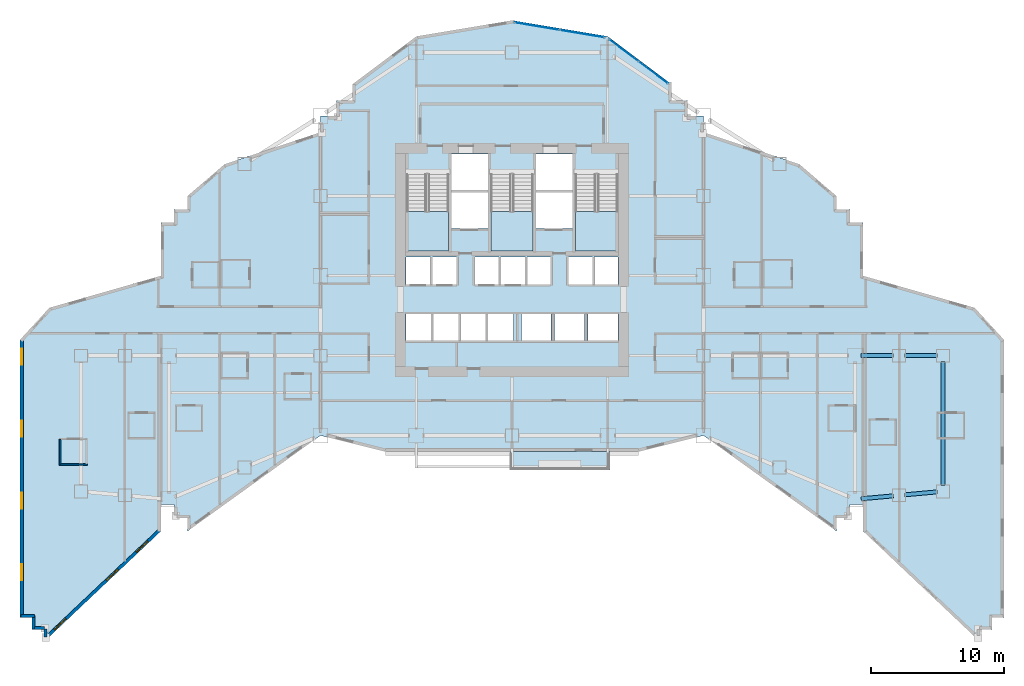
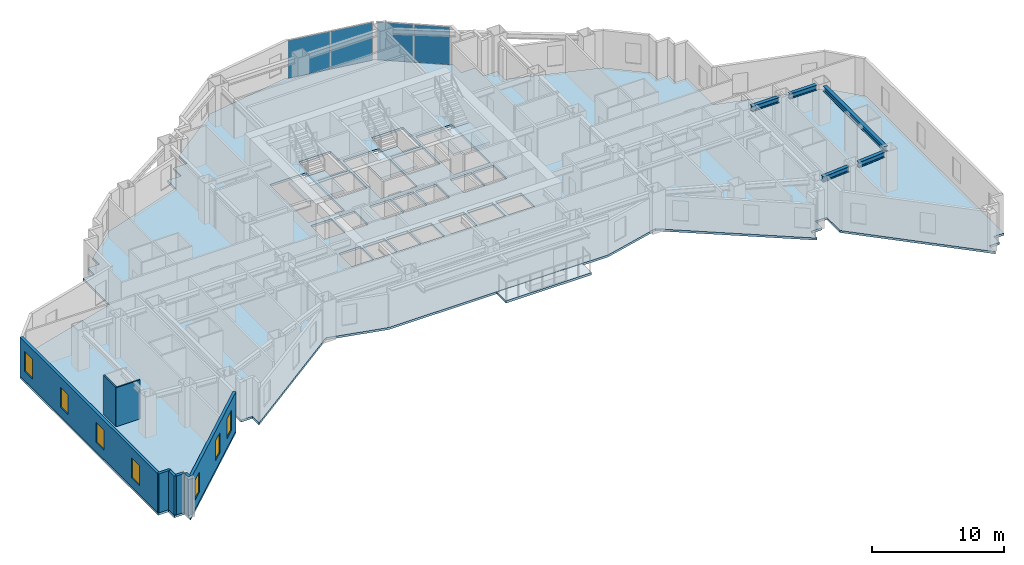
# One storey, part 5 of 17: 8 walls, 7 windows, 5 beams, 5 slabs, 4 plates, 7 openings, 5 elements without a shape of their own.
"""IFC4 building model written with IfcOpenShell, lengths in metres."""

from ifc_helpers import new_model, si_unit, direction, frame, frame_2d, origin, origin_2d, place, context, subcontext, project, spatial, polyline, rectangle, i_section, outline, extrude, material, layer, layer_set, material_profile, profile_set, type_object, element, fill, aggregate, save


model = new_model("IFC4")

# Units and contexts
model_context = context("Model", 3, precision=1e-05, world=origin(), true_north=direction((0.0, 1.0)))
body_context = subcontext(model_context, "Body", "Model", "MODEL_VIEW")
ifc_project = project(units=[si_unit("LENGTHUNIT", "METRE"), si_unit("AREAUNIT", "SQUARE_METRE"), si_unit("VOLUMEUNIT", "CUBIC_METRE"), si_unit("PLANEANGLEUNIT", "RADIAN"), si_unit("MASSUNIT", "GRAM", prefix="KILO")], contexts=[model_context])

# Site, building, storey
site_placement = place(None, origin())
site = spatial("IfcSite", under=ifc_project, at=site_placement, CompositionType="ELEMENT")
building_placement = place(site_placement, origin())
building = spatial("IfcBuilding", under=site, at=building_placement, Name="Haolan Belvedere Tower", CompositionType="ELEMENT")
storey_placement = place(building_placement, frame((0.0, 0.0, 59.0)))
storey = spatial("IfcBuildingStorey", under=building, at=storey_placement, Name="L14", CompositionType="ELEMENT", Elevation=59.0)

# Beams
ifc_material_1 = material(Name="Steel Q355B", Category="steel")
ifc_material_profile = material_profile(ifc_material_1, i_section(OverallWidth=0.300048828125, OverallDepth=0.488037109375, WebThickness=0.010986328125, FlangeThickness=0.01806640625, FilletRadius=0.02587890625, at=origin_2d()), Name="Steel Q355B")
ifc_profile_set = profile_set([ifc_material_profile], Name="Steel Q355B")
beam_type = type_object("IfcBeamType", Name="BM-HM488x300x11x18", PredefinedType="SPANDREL", material=ifc_profile_set)
beam_placement = place(storey_placement, frame((70.800048828125, 17.85009765625, 3.35595703125), z_axis=(0.0, 1.0, 0.0), x_axis=(-1.0, 0.0, 0.0)))
element("IfcBeam", 1, at=beam_placement, inside=storey, type_object=beam_type, Name="L14 spandrel girder MC-T5-SE-MC-T5-NE", PredefinedType="SPANDREL", context=body_context, shape_type="SweptSolid", body=[
    extrude(i_section(OverallWidth=0.300048828125, OverallDepth=0.488037109375, WebThickness=0.010986328125, FlangeThickness=0.01806640625, FilletRadius=0.02587890625, at=origin_2d()), origin(), (0.0, 0.0, 1.0), 9.2998046875),
])
for number, where, z_axis, x_axis, name in (
    (2, (64.648193359375, 16.8408203125, 3.35595703125), (0.995893206468, 0.090535746043, 0.0), (-0.090535746043, 0.995893206468, 0.0), "L14 spandrel girder MC-T4-SE-TC-T5-M1"),
    (3, (67.9482421875, 17.140625, 3.35595703125), (0.995884080761, 0.090636072764, 0.0), (-0.090636072764, 0.995884080761, 0.0), "L14 spandrel girder TC-T5-M1-MC-T5-SE"),
):
    element("IfcBeam", number, at=place(storey_placement, frame(where, z_axis=z_axis, x_axis=x_axis)), inside=storey, type_object=beam_type, Name=name, PredefinedType="SPANDREL", context=body_context, shape_type="SweptSolid", body=[
        extrude(i_section(OverallWidth=0.300048828125, OverallDepth=0.488037109375, WebThickness=0.010986328125, FlangeThickness=0.01806640625, FilletRadius=0.02587890625, at=origin_2d()), origin(), (0.0, 0.0, 1.0), 2.41357421875),
    ])
for number, where, z_axis, x_axis, name in (
    (4, (64.64990234375, 27.60009765625, 3.35595703125), (1.0, 0.0, 0.0), (0.0, 1.0, 0.0), "L14 spandrel girder MC-T4-ME-TC-T5-M2"),
    (5, (67.949951171875, 27.60009765625, 3.35595703125), (1.0, 0.0, 0.0), (0.0, 1.0, 0.0), "L14 spandrel girder TC-T5-M2-MC-T5-NE"),
):
    element("IfcBeam", number, at=place(storey_placement, frame(where, z_axis=z_axis, x_axis=x_axis)), inside=storey, type_object=beam_type, Name=name, PredefinedType="SPANDREL", context=body_context, shape_type="SweptSolid", body=[
        extrude(i_section(OverallWidth=0.300048828125, OverallDepth=0.488037109375, WebThickness=0.010986328125, FlangeThickness=0.01806640625, FilletRadius=0.02587890625, at=origin_2d()), origin(), (0.0, 0.0, 1.0), 2.400146484375),
    ])

# Curtain wall, plates
ifc_material_2 = material(Name="Anodised champagne-silver aluminium 6063-T6 and Low-E glass", Category="aluminium")
ifc_layer_1 = layer(ifc_material_2, 0.1650390625, Name="Anodised champagne-silver aluminium 6063-T6 and Low-E glass")
ifc_layer_set_1 = layer_set([ifc_layer_1], Name="Anodised champagne-silver aluminium 6063-T6 and Low-E glass")
curtain_wall_type = type_object("IfcCurtainWallType", Name="CW-SYS-02", PredefinedType="NOTDEFINED", material=ifc_layer_set_1)
curtain_wall_1_placement = place(storey_placement, origin())
curtain_wall_1 = element("IfcCurtainWall", 6, at=curtain_wall_1_placement, inside=storey, type_object=curtain_wall_type, Name="L14 CW-SYS-02 ribbon curtain wall 41.1", PredefinedType="NOTDEFINED")
ifc_material_3 = material(Name="Double silver Low-E laminated insulating glass", Category="glass")
ifc_layer_2 = layer(ifc_material_3, 0.02587890625, Name="Double silver Low-E laminated insulating glass")
ifc_layer_set_2 = layer_set([ifc_layer_2], Name="Double silver Low-E laminated insulating glass")
plate_type = type_object("IfcPlateType", Name="CW-SYS-02-PNL", PredefinedType="CURTAIN_PANEL", material=ifc_layer_set_2)
plate_1_placement = place(storey_placement, frame((49.02978515625, 48.877685546875, 0.05517578125), z_axis=(0.0, 0.0, 1.0), x_axis=(-0.800004262313, 0.599994316874, 0.0)))
plate_1 = element("IfcPlate", 7, at=plate_1_placement, type_object=plate_type, Name="CW-02 panel 1.1", PredefinedType="CURTAIN_PANEL", context=body_context, shape_type="SweptSolid", body=[
    extrude(rectangle(XDim=2.725341796875, YDim=0.02587890625, at=origin_2d()), origin(), (0.0, 0.0, 1.0), 3.489990234375),
])
plate_2_placement = place(storey_placement, frame((46.801513671875, 50.548828125, 0.05517578125), z_axis=(0.0, 0.0, 1.0), x_axis=(-0.800004262313, 0.599994316874, 0.0)))
plate_2 = element("IfcPlate", 8, at=plate_2_placement, type_object=plate_type, Name="CW-02 panel 2.1", PredefinedType="CURTAIN_PANEL", context=body_context, shape_type="SweptSolid", body=[
    extrude(rectangle(XDim=2.725341796875, YDim=0.02587890625, at=origin_2d()), origin(), (0.0, 0.0, 1.0), 3.489990234375),
])
aggregate(curtain_wall_1, [plate_1, plate_2])

curtain_wall_2_placement = place(storey_placement, origin())
curtain_wall_2 = element("IfcCurtainWall", 9, at=curtain_wall_2_placement, inside=storey, type_object=curtain_wall_type, Name="L14 CW-SYS-02 ribbon curtain wall 42.1", PredefinedType="NOTDEFINED")
plate_3_placement = place(storey_placement, frame((43.6796875, 51.79833984375, 0.05517578125), z_axis=(0.0, 0.0, 1.0), x_axis=(-0.9863931483, 0.16440364043, 0.0)))
plate_3 = element("IfcPlate", 10, at=plate_3_placement, type_object=plate_type, Name="CW-02 panel 1.1", PredefinedType="CURTAIN_PANEL", context=body_context, shape_type="SweptSolid", body=[
    extrude(rectangle(XDim=3.39501953125, YDim=0.02587890625, at=origin_2d()), origin(), (0.0, 0.0, 1.0), 3.489990234375),
])
plate_4_placement = place(storey_placement, frame((40.271728515625, 52.366455078125, 0.05517578125), z_axis=(0.0, 0.0, 1.0), x_axis=(-0.9863931483, 0.16440364043, 0.0)))
plate_4 = element("IfcPlate", 11, at=plate_4_placement, type_object=plate_type, Name="CW-02 panel 2.1", PredefinedType="CURTAIN_PANEL", context=body_context, shape_type="SweptSolid", body=[
    extrude(rectangle(XDim=3.39501953125, YDim=0.02587890625, at=origin_2d()), origin(), (0.0, 0.0, 1.0), 3.489990234375),
])
aggregate(curtain_wall_2, [plate_3, plate_4])

# Slabs
ifc_material_4 = material(Name="Concrete C40/50", Category="concrete")
ifc_layer_3 = layer(ifc_material_4, 0.2099609375, Name="Concrete C40/50")
ifc_layer_set_3 = layer_set([ifc_layer_3], Name="Concrete C40/50")
slab_type_1 = type_object("IfcSlabType", Name="SL-BAL-210", PredefinedType="FLOOR", material=ifc_layer_set_3)
slab_1_placement = place(storey_placement, frame((0.0, 0.0, -0.22998046875)))
element("IfcSlab", 12, at=slab_1_placement, inside=storey, type_object=slab_type_1, Name="L14 structural tree-planter balcony slab BAL-L14-S1", PredefinedType="FLOOR", context=body_context, shape_type="SweptSolid", body=[
    extrude(outline(polyline([(38.25, 19.02001953125), (45.75, 19.02001953125), (45.75, 20.39990234375), (38.25, 20.39990234375), (38.25, 19.02001953125)])), origin(), (0.0, 0.0, 1.0), 0.2099609375),
])
ifc_layer_4 = layer(ifc_material_4, 0.199951171875, Name="Concrete C40/50")
ifc_layer_set_4 = layer_set([ifc_layer_4], Name="Concrete C40/50")
slab_type_2 = type_object("IfcSlabType", Name="SL-FLR-200", PredefinedType="FLOOR", material=ifc_layer_set_4)
slab_2_placement = place(storey_placement, frame((0.0, 0.0, -0.199951171875)))
element("IfcSlab", 13, at=slab_2_placement, inside=storey, type_object=slab_type_2, Name="L14 structural floor slab", PredefinedType="FLOOR", context=body_context, shape_type="SweptSolid", body=[
    extrude(outline(polyline([(1.419921875, 28.800048828125), (1.419921875, 8.4990234375), (1.419921875, 7.89892578125), (2.320068359375, 7.89892578125), (2.320068359375, 6.9990234375), (3.219970703125, 6.9990234375), (3.219970703125, 6.09912109375), (12.0, 14.39990234375), (12.0, 16.39990234375), (13.0, 16.39990234375), (13.0, 15.39990234375), (14.0, 15.39990234375), (14.0, 14.39990234375), (24.0, 21.60009765625), (28.800048828125, 20.39990234375), (48.0, 20.39990234375), (52.800048828125, 21.60009765625), (62.800048828125, 14.39990234375), (62.800048828125, 15.39990234375), (63.800048828125, 15.39990234375), (63.800048828125, 16.39990234375), (64.800048828125, 16.39990234375), (64.800048828125, 14.39990234375), (73.580078125, 6.09912109375), (73.580078125, 6.9990234375), (74.47998046875, 6.9990234375), (74.47998046875, 7.89892578125), (75.3798828125, 7.89892578125), (75.3798828125, 28.800048828125), (73.179931640625, 31.199951171875), (64.800048828125, 33.60009765625), (64.800048828125, 37.60009765625), (63.800048828125, 37.60009765625), (63.800048828125, 38.60009765625), (62.800048828125, 38.60009765625), (62.800048828125, 39.60009765625), (60.0, 42.0), (52.800048828125, 44.39990234375), (52.800048828125, 45.60009765625), (51.60009765625, 45.60009765625), (51.60009765625, 46.800048828125), (50.39990234375, 46.800048828125), (50.39990234375, 48.0), (45.60009765625, 51.60009765625), (38.39990234375, 52.800048828125), (31.199951171875, 51.60009765625), (26.39990234375, 48.0), (26.39990234375, 46.800048828125), (25.199951171875, 46.800048828125), (25.199951171875, 45.60009765625), (24.0, 45.60009765625), (24.0, 44.39990234375), (16.800048828125, 42.0), (14.0, 39.60009765625), (14.0, 38.60009765625), (13.0, 38.60009765625), (13.0, 37.60009765625), (12.0, 37.60009765625), (12.0, 33.60009765625), (3.6201171875, 31.199951171875), (1.419921875, 28.800048828125)]), holes=[polyline([(30.449951171875, 41.22998046875), (30.449951171875, 35.449951171875), (33.6298828125, 35.449951171875), (33.6298828125, 41.22998046875), (30.449951171875, 41.22998046875)]), polyline([(36.81005859375, 41.22998046875), (36.81005859375, 35.449951171875), (39.989990234375, 35.449951171875), (39.989990234375, 41.22998046875), (36.81005859375, 41.22998046875)]), polyline([(43.169921875, 41.22998046875), (43.169921875, 35.449951171875), (46.35009765625, 35.449951171875), (46.35009765625, 41.22998046875), (43.169921875, 41.22998046875)]), polyline([(33.830078125, 40.050048828125), (36.610107421875, 40.050048828125), (36.610107421875, 42.75), (33.830078125, 42.75), (33.830078125, 40.050048828125)]), polyline([(33.830078125, 37.14990234375), (36.610107421875, 37.14990234375), (36.610107421875, 39.85009765625), (33.830078125, 39.85009765625), (33.830078125, 37.14990234375)]), polyline([(40.18994140625, 40.050048828125), (42.969970703125, 40.050048828125), (42.969970703125, 42.75), (40.18994140625, 42.75), (40.18994140625, 40.050048828125)]), polyline([(40.18994140625, 37.14990234375), (42.969970703125, 37.14990234375), (42.969970703125, 39.85009765625), (40.18994140625, 39.85009765625), (40.18994140625, 37.14990234375)]), polyline([(30.419921875, 32.949951171875), (32.27001953125, 32.949951171875), (32.27001953125, 35.0), (30.419921875, 35.0), (30.419921875, 32.949951171875)]), polyline([(32.409912109375, 32.949951171875), (34.260009765625, 32.949951171875), (34.260009765625, 35.0), (32.409912109375, 35.0), (32.409912109375, 32.949951171875)]), polyline([(35.56005859375, 32.949951171875), (37.409912109375, 32.949951171875), (37.409912109375, 35.0), (35.56005859375, 35.0), (35.56005859375, 32.949951171875)]), polyline([(37.550048828125, 32.949951171875), (39.39990234375, 32.949951171875), (39.39990234375, 35.0), (37.550048828125, 35.0), (37.550048828125, 32.949951171875)]), polyline([(39.5400390625, 32.949951171875), (41.389892578125, 32.949951171875), (41.389892578125, 35.0), (39.5400390625, 35.0), (39.5400390625, 32.949951171875)]), polyline([(42.6201171875, 32.949951171875), (44.469970703125, 32.949951171875), (44.469970703125, 35.0), (42.6201171875, 35.0), (42.6201171875, 32.949951171875)]), polyline([(44.580078125, 32.949951171875), (46.3798828125, 32.949951171875), (46.3798828125, 35.0), (44.580078125, 35.0), (44.580078125, 32.949951171875)]), polyline([(30.419921875, 28.75), (32.320068359375, 28.75), (32.320068359375, 30.75), (30.419921875, 30.75), (30.419921875, 28.75)]), polyline([(32.47998046875, 28.75), (34.3798828125, 28.75), (34.3798828125, 30.75), (32.47998046875, 30.75), (32.47998046875, 28.75)]), polyline([(34.5400390625, 28.75), (36.43994140625, 28.75), (36.43994140625, 30.75), (34.5400390625, 30.75), (34.5400390625, 28.75)]), polyline([(36.60009765625, 28.75), (38.5, 28.75), (38.5, 30.75), (36.60009765625, 30.75), (36.60009765625, 28.75)]), polyline([(39.10009765625, 28.75), (41.340087890625, 28.75), (41.340087890625, 30.75), (39.10009765625, 30.75), (39.10009765625, 28.75)]), polyline([(41.610107421875, 28.75), (43.85009765625, 28.75), (43.85009765625, 30.75), (41.610107421875, 30.75), (41.610107421875, 28.75)]), polyline([(44.1201171875, 28.75), (46.360107421875, 28.75), (46.360107421875, 30.75), (44.1201171875, 30.75), (44.1201171875, 28.75)])]), origin(), (0.0, 0.0, 1.0), 0.199951171875),
])

# Stair, slab
stair_type = type_object("IfcStairType", Name="STR-DL-22R-173", PredefinedType="HALF_TURN_STAIR", material=ifc_material_4)
stair_1_placement = place(storey_placement, origin())
stair_1 = element("IfcStair", 14, at=stair_1_placement, inside=storey, type_object=stair_type, Name="L14 Smokeproof Core Exit Stair ST1", PredefinedType="HALF_TURN_STAIR")
ifc_layer_5 = layer(ifc_material_4, 0.199951171875, Name="Concrete C40/50")
ifc_layer_set_5 = layer_set([ifc_layer_5], Name="Concrete C40/50")
slab_type_3 = type_object("IfcSlabType", Name="SL-LAND-200", PredefinedType="LANDING", material=ifc_layer_set_5)
slab_3_placement = place(storey_placement, frame((0.0, 0.0, 1.699951171875)))
slab_3 = element("IfcSlab", 15, at=slab_3_placement, type_object=slab_type_3, Name="ST1 landing 1", PredefinedType="LANDING", context=body_context, shape_type="SweptSolid", body=[
    extrude(outline(polyline([(30.449951171875, 38.429931640625), (30.449951171875, 35.449951171875), (33.6298828125, 35.449951171875), (33.6298828125, 38.429931640625), (30.449951171875, 38.429931640625)])), origin(), (0.0, 0.0, 1.0), 0.199951171875),
])
aggregate(stair_1, [slab_3])

stair_2_placement = place(storey_placement, origin())
stair_2 = element("IfcStair", 16, at=stair_2_placement, inside=storey, type_object=stair_type, Name="L14 Smokeproof Core Exit Stair ST3", PredefinedType="HALF_TURN_STAIR")
slab_4_placement = place(storey_placement, frame((0.0, 0.0, 1.699951171875)))
slab_4 = element("IfcSlab", 17, at=slab_4_placement, type_object=slab_type_3, Name="ST3 landing 1", PredefinedType="LANDING", context=body_context, shape_type="SweptSolid", body=[
    extrude(outline(polyline([(36.81005859375, 38.429931640625), (36.81005859375, 35.449951171875), (39.989990234375, 35.449951171875), (39.989990234375, 38.429931640625), (36.81005859375, 38.429931640625)])), origin(), (0.0, 0.0, 1.0), 0.199951171875),
])
aggregate(stair_2, [slab_4])

stair_3_placement = place(storey_placement, origin())
stair_3 = element("IfcStair", 18, at=stair_3_placement, inside=storey, type_object=stair_type, Name="L14 Smokeproof Core Exit Stair ST2", PredefinedType="HALF_TURN_STAIR")
slab_5_placement = place(storey_placement, frame((0.0, 0.0, 1.699951171875)))
slab_5 = element("IfcSlab", 19, at=slab_5_placement, type_object=slab_type_3, Name="ST2 landing 1", PredefinedType="LANDING", context=body_context, shape_type="SweptSolid", body=[
    extrude(outline(polyline([(43.169921875, 38.429931640625), (43.169921875, 35.449951171875), (46.35009765625, 35.449951171875), (46.35009765625, 38.429931640625), (43.169921875, 38.429931640625)])), origin(), (0.0, 0.0, 1.0), 0.199951171875),
])
aggregate(stair_3, [slab_5])

# Walls
ifc_material_5 = material(Name="Precast concrete C40/50", Category="concrete")
ifc_layer_6 = layer(ifc_material_5, 0.239990234375, Name="Precast concrete C40/50")
ifc_layer_set_6 = layer_set([ifc_layer_6], Name="Precast concrete C40/50")
wall_type_1 = type_object("IfcWallType", Name="WL-EXT-240", PredefinedType="SOLIDWALL", material=ifc_layer_set_6)
for number, where, z_axis, x_axis, name in (
    (20, (1.485107421875, 8.01904296875, 0.0), (0.0, 0.0, 1.0), (1.0, 0.0, 0.0), "L14 pale-metal exterior spandrel wall 1.1"),
    (21, (2.43994140625, 8.073974609375, 0.0), (0.0, 0.0, 1.0), (0.0, -1.0, 0.0), "L14 pale-metal exterior spandrel wall 2.1"),
):
    element("IfcWall", number, at=place(storey_placement, frame(where, z_axis=z_axis, x_axis=x_axis)), inside=storey, type_object=wall_type_1, Name=name, PredefinedType="SOLIDWALL", context=body_context, shape_type="SweptSolid", body=[
        extrude(rectangle(XDim=1.010009765625, YDim=0.239990234375, at=frame_2d((0.5048828125, 0.0))), origin(), (0.0, 0.0, 1.0), 3.60009765625),
    ])
wall_1_placement = place(storey_placement, frame((2.52001953125, 7.118896484375, 0.0), z_axis=(0.0, 0.0, 1.0), x_axis=(1.0, 0.0, 0.0)))
element("IfcWall", 22, at=wall_1_placement, inside=storey, type_object=wall_type_1, Name="L14 pale-metal exterior spandrel wall 3.1", PredefinedType="SOLIDWALL", context=body_context, shape_type="SweptSolid", body=[
    extrude(rectangle(XDim=0.73486328125, YDim=0.239990234375, at=frame_2d((0.367431640625, 0.0))), origin(), (0.0, 0.0, 1.0), 3.60009765625),
])
wall_2_placement = place(storey_placement, frame((3.340087890625, 7.033935546875, 0.0), z_axis=(0.0, 0.0, 1.0), x_axis=(0.0, -1.0, 0.0)))
element("IfcWall", 23, at=wall_2_placement, inside=storey, type_object=wall_type_1, Name="L14 pale-metal exterior spandrel wall 4.1", PredefinedType="SOLIDWALL", context=body_context, shape_type="SweptSolid", body=[
    extrude(rectangle(XDim=0.5712890625, YDim=0.239990234375, at=frame_2d((0.28564453125, 0.0))), origin(), (0.0, 0.0, 1.0), 3.60009765625),
])

# Wall, openings, windows
wall_3_placement = place(storey_placement, frame((3.489013671875, 6.518310546875, 0.0), z_axis=(0.0, 0.0, 1.0), x_axis=(0.726640160789, 0.687018250652, 0.0)))
wall_3 = element("IfcWall", 24, at=wall_3_placement, inside=storey, type_object=wall_type_1, Name="L14 pale-metal exterior spandrel wall 5.1", PredefinedType="SOLIDWALL", context=body_context, shape_type="SweptSolid", body=[
    extrude(rectangle(XDim=11.6025390625, YDim=0.239990234375, at=frame_2d((5.80126953125, 0.0))), origin(), (0.0, 0.0, 1.0), 3.60009765625),
])
opening_1_placement = place(wall_3_placement, frame((0.699951171875, 0.0, 0.85009765625)))
opening_1 = element("IfcOpeningElement", 25, at=opening_1_placement, cuts=wall_3, Name="Opening W-01", PredefinedType="OPENING", context=body_context, shape_type="SweptSolid", body=[
    extrude(rectangle(XDim=1.199951171875, YDim=1.85009765625, at=frame_2d((0.60009765625, 0.925048828125))), frame((0.0, 0.1298828125, 0.0), z_axis=(0.0, -1.0, 0.0), x_axis=(1.0, 0.0, 0.0)), (0.0, 0.0, 1.0), 0.260009765625),
])
opening_2_placement = place(wall_3_placement, frame((6.10009765625, 0.0, 0.85009765625)))
opening_2 = element("IfcOpeningElement", 26, at=opening_2_placement, cuts=wall_3, Name="Opening W-01", PredefinedType="OPENING", context=body_context, shape_type="SweptSolid", body=[
    extrude(rectangle(XDim=1.199951171875, YDim=1.85009765625, at=frame_2d((0.60009765625, 0.925048828125))), frame((0.0, 0.1298828125, 0.0), z_axis=(0.0, -1.0, 0.0), x_axis=(1.0, 0.0, 0.0)), (0.0, 0.0, 1.0), 0.260009765625),
])
opening_3_placement = place(wall_3_placement, frame((9.180419921875, 0.0, 0.85009765625)))
opening_3 = element("IfcOpeningElement", 27, at=opening_3_placement, cuts=wall_3, Name="Opening W-01", PredefinedType="OPENING", context=body_context, shape_type="SweptSolid", body=[
    extrude(rectangle(XDim=1.199951171875, YDim=1.85009765625, at=frame_2d((0.60009765625, 0.925048828125))), frame((0.0, 0.1298828125, 0.0), z_axis=(0.0, -1.0, 0.0), x_axis=(1.0, 0.0, 0.0)), (0.0, 0.0, 1.0), 0.260009765625),
])
ifc_material_6 = material(Name="Anodised aluminium 6063-T6 and Low-E glass", Category="aluminium")
window_type = type_object("IfcWindowType", Name="WN-DECO-Z1", PartitioningType="SINGLE_PANEL", PredefinedType="WINDOW", material=ifc_material_6)
window_1_placement = place(opening_1_placement, origin())
window_1 = element("IfcWindow", 28, at=window_1_placement, inside=storey, type_object=window_type, Name="L14 Art Deco chevron window 1", OverallHeight=1.85009765625, OverallWidth=1.199951171875, PartitioningType="SINGLE_PANEL", PredefinedType="WINDOW", context=body_context, shape_type="SweptSolid", body=[
    extrude(rectangle(XDim=1.199951171875, YDim=1.85009765625, at=frame_2d((0.60009765625, 0.925048828125))), frame((0.0, 0.030029296875, 0.0), z_axis=(0.0, -1.0, 0.0), x_axis=(1.0, 0.0, 0.0)), (0.0, 0.0, 1.0), 0.06005859375),
])
fill(opening_1, window_1)
window_2_placement = place(opening_2_placement, origin())
window_2 = element("IfcWindow", 29, at=window_2_placement, inside=storey, type_object=window_type, Name="L14 Art Deco chevron window 2", OverallHeight=1.85009765625, OverallWidth=1.199951171875, PartitioningType="SINGLE_PANEL", PredefinedType="WINDOW", context=body_context, shape_type="SweptSolid", body=[
    extrude(rectangle(XDim=1.199951171875, YDim=1.85009765625, at=frame_2d((0.60009765625, 0.925048828125))), frame((0.0, 0.030029296875, 0.0), z_axis=(0.0, -1.0, 0.0), x_axis=(1.0, 0.0, 0.0)), (0.0, 0.0, 1.0), 0.06005859375),
])
fill(opening_2, window_2)
window_3_placement = place(opening_3_placement, origin())
window_3 = element("IfcWindow", 30, at=window_3_placement, inside=storey, type_object=window_type, Name="L14 Art Deco guestroom window 3", OverallHeight=1.85009765625, OverallWidth=1.199951171875, PartitioningType="SINGLE_PANEL", PredefinedType="WINDOW", context=body_context, shape_type="SweptSolid", body=[
    extrude(rectangle(XDim=1.199951171875, YDim=1.85009765625, at=frame_2d((0.60009765625, 0.925048828125))), frame((0.0, 0.030029296875, 0.0), z_axis=(0.0, -1.0, 0.0), x_axis=(1.0, 0.0, 0.0)), (0.0, 0.0, 1.0), 0.06005859375),
])
fill(opening_3, window_3)

wall_4_placement = place(storey_placement, frame((1.5400390625, 28.808349609375, 0.0), z_axis=(0.0, 0.0, 1.0), x_axis=(0.0, -1.0, 0.0)))
wall_4 = element("IfcWall", 31, at=wall_4_placement, inside=storey, type_object=wall_type_1, Name="L14 pale-metal exterior spandrel wall 59.1", PredefinedType="SOLIDWALL", context=body_context, shape_type="SweptSolid", body=[
    extrude(rectangle(XDim=20.84423828125, YDim=0.239990234375, at=frame_2d((10.422119140625, 0.0))), origin(), (0.0, 0.0, 1.0), 3.60009765625),
])
opening_4_placement = place(wall_4_placement, frame((0.699951171875, 0.0, 0.85009765625)))
opening_4 = element("IfcOpeningElement", 32, at=opening_4_placement, cuts=wall_4, Name="Opening W-01", PredefinedType="OPENING", context=body_context, shape_type="SweptSolid", body=[
    extrude(rectangle(XDim=1.199951171875, YDim=1.85009765625, at=frame_2d((0.60009765625, 0.925048828125))), frame((0.0, 0.1298828125, 0.0), z_axis=(0.0, -1.0, 0.0), x_axis=(1.0, 0.0, 0.0)), (0.0, 0.0, 1.0), 0.260009765625),
])
opening_5_placement = place(wall_4_placement, frame((6.10009765625, 0.0, 0.85009765625)))
opening_5 = element("IfcOpeningElement", 33, at=opening_5_placement, cuts=wall_4, Name="Opening W-01", PredefinedType="OPENING", context=body_context, shape_type="SweptSolid", body=[
    extrude(rectangle(XDim=1.199951171875, YDim=1.85009765625, at=frame_2d((0.60009765625, 0.925048828125))), frame((0.0, 0.1298828125, 0.0), z_axis=(0.0, -1.0, 0.0), x_axis=(1.0, 0.0, 0.0)), (0.0, 0.0, 1.0), 0.260009765625),
])
opening_6_placement = place(wall_4_placement, frame((11.5, 0.0, 0.85009765625)))
opening_6 = element("IfcOpeningElement", 34, at=opening_6_placement, cuts=wall_4, Name="Opening W-01", PredefinedType="OPENING", context=body_context, shape_type="SweptSolid", body=[
    extrude(rectangle(XDim=1.199951171875, YDim=1.85009765625, at=frame_2d((0.60009765625, 0.925048828125))), frame((0.0, 0.1298828125, 0.0), z_axis=(0.0, -1.0, 0.0), x_axis=(1.0, 0.0, 0.0)), (0.0, 0.0, 1.0), 0.260009765625),
])
opening_7_placement = place(wall_4_placement, frame((16.89990234375, 0.0, 0.85009765625)))
opening_7 = element("IfcOpeningElement", 35, at=opening_7_placement, cuts=wall_4, Name="Opening W-01", PredefinedType="OPENING", context=body_context, shape_type="SweptSolid", body=[
    extrude(rectangle(XDim=1.199951171875, YDim=1.85009765625, at=frame_2d((0.60009765625, 0.925048828125))), frame((0.0, 0.1298828125, 0.0), z_axis=(0.0, -1.0, 0.0), x_axis=(1.0, 0.0, 0.0)), (0.0, 0.0, 1.0), 0.260009765625),
])
window_4_placement = place(opening_4_placement, origin())
window_4 = element("IfcWindow", 36, at=window_4_placement, inside=storey, type_object=window_type, Name="L14 Art Deco chevron window 1", OverallHeight=1.85009765625, OverallWidth=1.199951171875, PartitioningType="SINGLE_PANEL", PredefinedType="WINDOW", context=body_context, shape_type="SweptSolid", body=[
    extrude(rectangle(XDim=1.199951171875, YDim=1.85009765625, at=frame_2d((0.60009765625, 0.925048828125))), frame((0.0, 0.030029296875, 0.0), z_axis=(0.0, -1.0, 0.0), x_axis=(1.0, 0.0, 0.0)), (0.0, 0.0, 1.0), 0.06005859375),
])
fill(opening_4, window_4)
window_5_placement = place(opening_5_placement, origin())
window_5 = element("IfcWindow", 37, at=window_5_placement, inside=storey, type_object=window_type, Name="L14 Art Deco chevron window 2", OverallHeight=1.85009765625, OverallWidth=1.199951171875, PartitioningType="SINGLE_PANEL", PredefinedType="WINDOW", context=body_context, shape_type="SweptSolid", body=[
    extrude(rectangle(XDim=1.199951171875, YDim=1.85009765625, at=frame_2d((0.60009765625, 0.925048828125))), frame((0.0, 0.030029296875, 0.0), z_axis=(0.0, -1.0, 0.0), x_axis=(1.0, 0.0, 0.0)), (0.0, 0.0, 1.0), 0.06005859375),
])
fill(opening_5, window_5)
window_6_placement = place(opening_6_placement, origin())
window_6 = element("IfcWindow", 38, at=window_6_placement, inside=storey, type_object=window_type, Name="L14 Art Deco chevron window 3", OverallHeight=1.85009765625, OverallWidth=1.199951171875, PartitioningType="SINGLE_PANEL", PredefinedType="WINDOW", context=body_context, shape_type="SweptSolid", body=[
    extrude(rectangle(XDim=1.199951171875, YDim=1.85009765625, at=frame_2d((0.60009765625, 0.925048828125))), frame((0.0, 0.030029296875, 0.0), z_axis=(0.0, -1.0, 0.0), x_axis=(1.0, 0.0, 0.0)), (0.0, 0.0, 1.0), 0.06005859375),
])
fill(opening_6, window_6)
window_7_placement = place(opening_7_placement, origin())
window_7 = element("IfcWindow", 39, at=window_7_placement, inside=storey, type_object=window_type, Name="L14 Art Deco chevron window 4", OverallHeight=1.85009765625, OverallWidth=1.199951171875, PartitioningType="SINGLE_PANEL", PredefinedType="WINDOW", context=body_context, shape_type="SweptSolid", body=[
    extrude(rectangle(XDim=1.199951171875, YDim=1.85009765625, at=frame_2d((0.60009765625, 0.925048828125))), frame((0.0, 0.030029296875, 0.0), z_axis=(0.0, -1.0, 0.0), x_axis=(1.0, 0.0, 0.0)), (0.0, 0.0, 1.0), 0.06005859375),
])
fill(opening_7, window_7)

# Walls
ifc_material_7 = material(Name="Moisture-resistant gypsum tile partition", Category="masonry")
ifc_layer_7 = layer(ifc_material_7, 0.1201171875, Name="Moisture-resistant gypsum tile partition")
ifc_layer_set_7 = layer_set([ifc_layer_7], Name="Moisture-resistant gypsum tile partition")
wall_type_2 = type_object("IfcWallType", Name="WL-WET-120", PredefinedType="PARTITIONING", material=ifc_layer_set_7)
wall_5_placement = place(storey_placement, frame((4.375, 19.427978515625, 0.0), z_axis=(0.0, 0.0, 1.0), x_axis=(1.0, 0.0, 0.0)))
element("IfcWall", 40, at=wall_5_placement, inside=storey, type_object=wall_type_2, Name="L14 interior partition IW-L14-T1S1-BS", PredefinedType="PARTITIONING", context=body_context, shape_type="SweptSolid", body=[
    extrude(rectangle(XDim=2.10009765625, YDim=0.1201171875, at=frame_2d((1.050048828125, 0.0))), origin(), (0.0, 0.0, 1.0), 3.60009765625),
])
wall_6_placement = place(storey_placement, frame((4.43505859375, 19.472900390625, 0.0), z_axis=(0.0, 0.0, 1.0), x_axis=(0.0, 1.0, 0.0)))
element("IfcWall", 41, at=wall_6_placement, inside=storey, type_object=wall_type_2, Name="L14 interior partition IW-L14-T1S1-BW", PredefinedType="PARTITIONING", context=body_context, shape_type="SweptSolid", body=[
    extrude(rectangle(XDim=1.830078125, YDim=0.1201171875, at=frame_2d((0.9150390625, 0.0))), origin(), (0.0, 0.0, 1.0), 3.60009765625),
])

save(model, "model.ifc")
